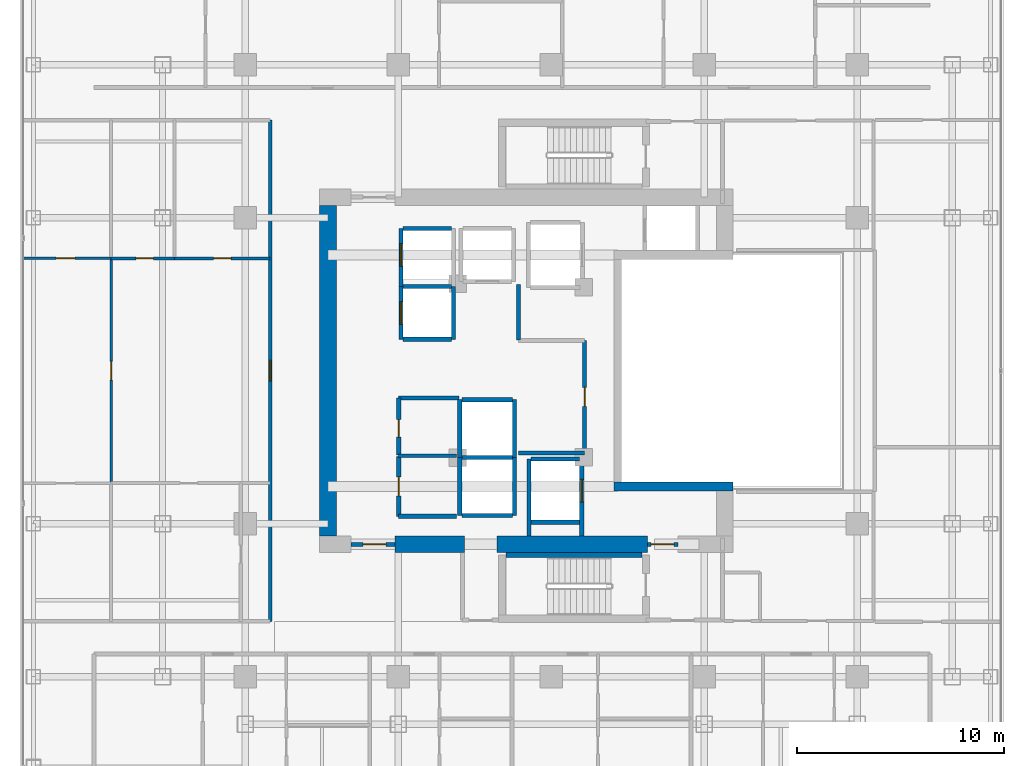
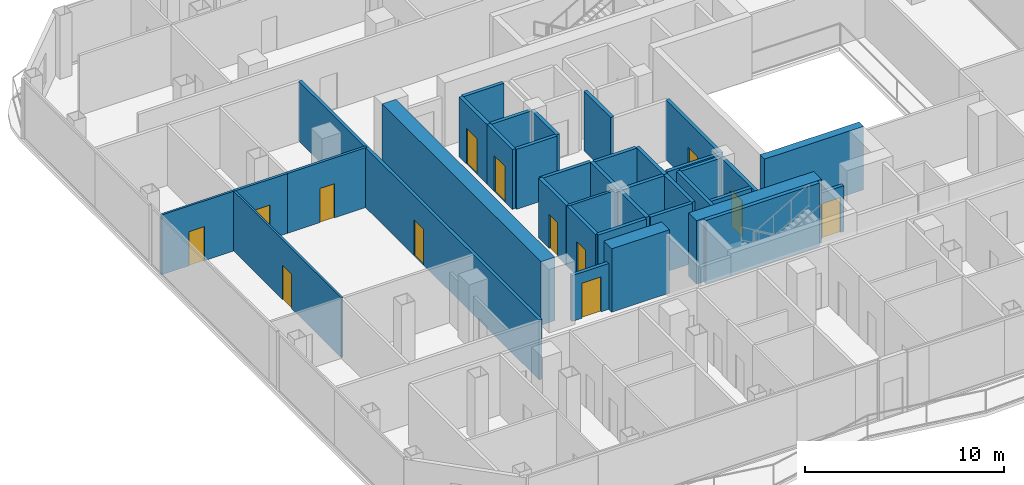
# One storey, part 19 of 25: 37 walls, 13 doors, 13 openings.
"""IFC4 building model written with IfcOpenShell, lengths in metres."""

from ifc_helpers import new_model, si_unit, direction, frame, frame_2d, origin, place, context, subcontext, project, spatial, rectangle, extrude, material, layer, layer_set, type_object, element, fill, save


model = new_model("IFC4")

# Units and contexts
model_context = context("Model", 3, precision=1e-05, world=origin(), true_north=direction((0.0, 1.0)))
body_context = subcontext(model_context, "Body", "Model", "MODEL_VIEW")
ifc_project = project(units=[si_unit("LENGTHUNIT", "METRE"), si_unit("AREAUNIT", "SQUARE_METRE"), si_unit("VOLUMEUNIT", "CUBIC_METRE"), si_unit("PLANEANGLEUNIT", "RADIAN"), si_unit("MASSUNIT", "GRAM", prefix="KILO")], contexts=[model_context])

# Site, building, storey
site_placement = place(None, origin())
site = spatial("IfcSite", under=ifc_project, at=site_placement, CompositionType="ELEMENT")
building_placement = place(site_placement, origin())
building = spatial("IfcBuilding", under=site, at=building_placement, Name="Khorvyn Point Tower", CompositionType="ELEMENT")
storey_placement = place(building_placement, frame((0.0, 0.0, 171.89990234375)))
storey = spatial("IfcBuildingStorey", under=building, at=storey_placement, Name="L42", CompositionType="ELEMENT", Elevation=171.89990234375)

# Wall, opening, door
ifc_material_1 = material(Name="Double acoustic gypsum on twin steel stud", Category="steel")
ifc_layer_1 = layer(ifc_material_1, 0.179931640625)
ifc_layer_set_1 = layer_set([ifc_layer_1], Name="Acoustic Double-Stud Apartment Demising Wall 180")
wall_type_1 = type_object("IfcWallType", Name="Acoustic Double-Stud Apartment Demising Wall 180", PredefinedType="PARTITIONING", material=ifc_layer_set_1)
wall_1_placement = place(storey_placement, frame((-13.60009765625, -12.1201171875, 0.0), z_axis=(0.0, 0.0, 1.0), x_axis=(0.0, 1.0, 0.0)))
wall_1 = element("IfcWall", 1, at=wall_1_placement, inside=storey, type_object=wall_type_1, Name="Wall", PredefinedType="PARTITIONING", context=body_context, shape_type="SweptSolid", body=[
    extrude(rectangle(XDim=24.240234375, YDim=0.179931640625, at=frame_2d((12.1201171875, 0.0))), origin(), (0.0, 0.0, 1.0), 3.68017578125),
])
opening_1_placement = place(wall_1_placement, frame((11.6201171875, 0.0, 0.0)))
opening_1 = element("IfcOpeningElement", 2, at=opening_1_placement, cuts=wall_1, Name="Opening ID-AP60", PredefinedType="OPENING", context=body_context, shape_type="SweptSolid", body=[
    extrude(rectangle(XDim=1.0, YDim=2.199951171875, at=frame_2d((0.5, 1.10009765625))), frame((0.0, 0.099853515625, 0.0), z_axis=(0.0, -1.0, 0.0), x_axis=(1.0, 0.0, 0.0)), (0.0, 0.0, 1.0), 0.199951171875),
])
ifc_material_2 = material(Name="Engineered hardwood fire-rated leaf", Category="wood")
door_type_1 = type_object("IfcDoorType", Name="Acoustic Solid-Core Timber Apartment Entrance Door 1000x2200", OperationType="NOTDEFINED", PredefinedType="DOOR", material=ifc_material_2)
door_1_placement = place(opening_1_placement, origin())
door_1 = element("IfcDoor", 3, at=door_1_placement, inside=storey, type_object=door_type_1, Name="Door", OperationType="SINGLE_SWING_LEFT", OverallHeight=2.199951171875, OverallWidth=1.0, PredefinedType="DOOR", context=body_context, shape_type="SweptSolid", body=[
    extrude(rectangle(XDim=1.0, YDim=2.199951171875, at=frame_2d((0.5, 1.10009765625))), frame((0.0, 0.02490234375, 0.0), z_axis=(0.0, -1.0, 0.0), x_axis=(1.0, 0.0, 0.0)), (0.0, 0.0, 1.0), 0.050048828125),
])
fill(opening_1, door_1)

# Wall
ifc_material_3 = material(Name="Concrete C40/50", Category="concrete")
ifc_layer_2 = layer(ifc_material_3, 0.449951171875)
ifc_layer_set_2 = layer_set([ifc_layer_2], Name="Concrete C40/50 Core Shear Wall 450")
wall_type_2 = type_object("IfcWallType", Name="Concrete C40/50 Core Shear Wall 450", PredefinedType="SHEAR", material=ifc_layer_set_2)
wall_2_placement = place(storey_placement, frame((3.044921875, -5.60009765625, 0.0), z_axis=(0.0, 0.0, 1.0), x_axis=(1.0, 0.0, 0.0)))
element("IfcWall", 4, at=wall_2_placement, inside=storey, type_object=wall_type_2, Name="Wall", PredefinedType="SHEAR", context=body_context, shape_type="SweptSolid", body=[
    extrude(rectangle(XDim=5.755126953125, YDim=0.449951171875, at=frame_2d((2.87744140625, 0.0))), origin(), (0.0, 0.0, 1.0), 3.900146484375),
])

# Wall, opening, door
ifc_layer_3 = layer(ifc_material_3, 0.199951171875)
ifc_layer_set_3 = layer_set([ifc_layer_3], Name="Concrete C40/50 Fire-Lobby Compartment Wall 200")
wall_type_3 = type_object("IfcWallType", Name="Concrete C40/50 Fire-Lobby Compartment Wall 200", PredefinedType="SOLIDWALL", material=ifc_layer_set_3)
wall_3_placement = place(storey_placement, frame((4.64990234375, -8.39990234375, 0.0), z_axis=(0.0, 0.0, 1.0), x_axis=(1.0, 0.0, 0.0)))
wall_3 = element("IfcWall", 5, at=wall_3_placement, inside=storey, type_object=wall_type_3, Name="Wall", PredefinedType="SOLIDWALL", context=body_context, shape_type="SweptSolid", body=[
    extrude(rectangle(XDim=1.47021484375, YDim=0.199951171875, at=frame_2d((0.735107421875, 0.0))), origin(), (0.0, 0.0, 1.0), 2.820068359375),
])
opening_2_placement = place(wall_3_placement, frame((0.18505859375, 0.0, 0.0)))
opening_2 = element("IfcOpeningElement", 6, at=opening_2_placement, cuts=wall_3, Name="Opening ID-FL90", PredefinedType="OPENING", context=body_context, shape_type="SweptSolid", body=[
    extrude(rectangle(XDim=1.10009765625, YDim=2.14990234375, at=frame_2d((0.550048828125, 1.074951171875))), frame((0.0, 0.10986328125, 0.0), z_axis=(0.0, -1.0, 0.0), x_axis=(1.0, 0.0, 0.0)), (0.0, 0.0, 1.0), 0.219970703125),
])
ifc_material_4 = material(Name="Galvanised powder-coated steel", Category="steel")
door_type_2 = type_object("IfcDoorType", Name="Fire-Rated Steel Lobby and Stair Door 1100x2150", OperationType="NOTDEFINED", PredefinedType="DOOR", material=ifc_material_4)
door_2_placement = place(opening_2_placement, origin())
door_2 = element("IfcDoor", 7, at=door_2_placement, inside=storey, type_object=door_type_2, Name="Door", OperationType="SINGLE_SWING_LEFT", OverallHeight=2.14990234375, OverallWidth=1.10009765625, PredefinedType="DOOR", context=body_context, shape_type="SweptSolid", body=[
    extrude(rectangle(XDim=1.10009765625, YDim=2.14990234375, at=frame_2d((0.550048828125, 1.074951171875))), frame((0.0, 0.02490234375, 0.0), z_axis=(0.0, -1.0, 0.0), x_axis=(1.0, 0.0, 0.0)), (0.0, 0.0, 1.0), 0.050048828125),
])
fill(opening_2, door_2)

wall_4_placement = place(storey_placement, frame((-9.699951171875, -8.39990234375, 0.0), z_axis=(0.0, 0.0, 1.0), x_axis=(1.0, 0.0, 0.0)))
wall_4 = element("IfcWall", 8, at=wall_4_placement, inside=storey, type_object=wall_type_3, Name="Wall", PredefinedType="SOLIDWALL", context=body_context, shape_type="SweptSolid", body=[
    extrude(rectangle(XDim=2.14990234375, YDim=0.199951171875, at=frame_2d((1.074951171875, 0.0))), origin(), (0.0, 0.0, 1.0), 2.820068359375),
])
opening_3_placement = place(wall_4_placement, frame((0.597900390625, 0.0, 0.0)))
opening_3 = element("IfcOpeningElement", 9, at=opening_3_placement, cuts=wall_4, Name="Opening ID-FL90", PredefinedType="OPENING", context=body_context, shape_type="SweptSolid", body=[
    extrude(rectangle(XDim=1.10009765625, YDim=2.14990234375, at=frame_2d((0.550048828125, 1.074951171875))), frame((0.0, 0.10986328125, 0.0), z_axis=(0.0, -1.0, 0.0), x_axis=(1.0, 0.0, 0.0)), (0.0, 0.0, 1.0), 0.219970703125),
])
door_3_placement = place(opening_3_placement, origin())
door_3 = element("IfcDoor", 10, at=door_3_placement, inside=storey, type_object=door_type_2, Name="Door", OperationType="SINGLE_SWING_LEFT", OverallHeight=2.14990234375, OverallWidth=1.10009765625, PredefinedType="DOOR", context=body_context, shape_type="SweptSolid", body=[
    extrude(rectangle(XDim=1.10009765625, YDim=2.14990234375, at=frame_2d((0.550048828125, 1.074951171875))), frame((0.0, 0.02490234375, 0.0), z_axis=(0.0, -1.0, 0.0), x_axis=(1.0, 0.0, 0.0)), (0.0, 0.0, 1.0), 0.050048828125),
])
fill(opening_3, door_3)

wall_5_placement = place(storey_placement, frame((1.610107421875, -3.97998046875, 0.0), z_axis=(0.0, 0.0, 1.0), x_axis=(0.0, 1.0, 0.0)))
wall_5 = element("IfcWall", 11, at=wall_5_placement, inside=storey, type_object=wall_type_3, Name="Wall", PredefinedType="SOLIDWALL", context=body_context, shape_type="SweptSolid", body=[
    extrude(rectangle(XDim=5.43994140625, YDim=0.199951171875, at=frame_2d((2.719970703125, 0.0))), origin(), (0.0, 0.0, 1.0), 3.68017578125),
])
opening_4_placement = place(wall_5_placement, frame((2.260009765625, 0.0, 0.0)))
opening_4 = element("IfcOpeningElement", 12, at=opening_4_placement, cuts=wall_5, Name="Opening ID-RS60", PredefinedType="OPENING", context=body_context, shape_type="SweptSolid", body=[
    extrude(rectangle(XDim=0.919921875, YDim=2.10009765625, at=frame_2d((0.4599609375, 1.050048828125))), frame((0.0, 0.10986328125, 0.0), z_axis=(0.0, -1.0, 0.0), x_axis=(1.0, 0.0, 0.0)), (0.0, 0.0, 1.0), 0.219970703125),
])
door_type_3 = type_object("IfcDoorType", Name="Fire-Rated Riser and Store Steel Door 920x2100", OperationType="NOTDEFINED", PredefinedType="DOOR", material=ifc_material_4)
door_4_placement = place(opening_4_placement, origin())
door_4 = element("IfcDoor", 13, at=door_4_placement, inside=storey, type_object=door_type_3, Name="Door", OperationType="SINGLE_SWING_RIGHT", OverallHeight=2.10009765625, OverallWidth=0.919921875, PredefinedType="DOOR", context=body_context, shape_type="SweptSolid", body=[
    extrude(rectangle(XDim=0.919921875, YDim=2.10009765625, at=frame_2d((0.4599609375, 1.050048828125))), frame((0.0, 0.02490234375, 0.0), z_axis=(0.0, -1.0, 0.0), x_axis=(1.0, 0.0, 0.0)), (0.0, 0.0, 1.0), 0.050048828125),
])
fill(opening_4, door_4)

wall_6_placement = place(storey_placement, frame((-7.3798828125, -7.0400390625, 0.0), z_axis=(0.0, 0.0, 1.0), x_axis=(0.0, 1.0, 0.0)))
wall_6 = element("IfcWall", 14, at=wall_6_placement, inside=storey, type_object=wall_type_3, Name="Wall", PredefinedType="SOLIDWALL", context=body_context, shape_type="SweptSolid", body=[
    extrude(rectangle(XDim=2.900146484375, YDim=0.199951171875, at=frame_2d((1.4501953125, 0.0))), origin(), (0.0, 0.0, 1.0), 3.68017578125),
])
opening_5_placement = place(wall_6_placement, frame((0.989990234375, 0.0, 0.0)))
opening_5 = element("IfcOpeningElement", 15, at=opening_5_placement, cuts=wall_6, Name="Opening ID-RS60", PredefinedType="OPENING", context=body_context, shape_type="SweptSolid", body=[
    extrude(rectangle(XDim=0.919921875, YDim=2.10009765625, at=frame_2d((0.4599609375, 1.050048828125))), frame((0.0, 0.10986328125, 0.0), z_axis=(0.0, -1.0, 0.0), x_axis=(1.0, 0.0, 0.0)), (0.0, 0.0, 1.0), 0.219970703125),
])
door_5_placement = place(opening_5_placement, origin())
door_5 = element("IfcDoor", 16, at=door_5_placement, inside=storey, type_object=door_type_3, Name="Door", OperationType="SINGLE_SWING_LEFT", OverallHeight=2.10009765625, OverallWidth=0.919921875, PredefinedType="DOOR", context=body_context, shape_type="SweptSolid", body=[
    extrude(rectangle(XDim=0.919921875, YDim=2.10009765625, at=frame_2d((0.4599609375, 1.050048828125))), frame((0.0, 0.02490234375, 0.0), z_axis=(0.0, -1.0, 0.0), x_axis=(1.0, 0.0, 0.0)), (0.0, 0.0, 1.0), 0.050048828125),
])
fill(opening_5, door_5)

wall_7_placement = place(storey_placement, frame((-7.3798828125, -4.080078125, 0.0), z_axis=(0.0, 0.0, 1.0), x_axis=(0.0, 1.0, 0.0)))
wall_7 = element("IfcWall", 17, at=wall_7_placement, inside=storey, type_object=wall_type_3, Name="Wall", PredefinedType="SOLIDWALL", context=body_context, shape_type="SweptSolid", body=[
    extrude(rectangle(XDim=2.760009765625, YDim=0.199951171875, at=frame_2d((1.3798828125, 0.0))), origin(), (0.0, 0.0, 1.0), 3.68017578125),
])
opening_6_placement = place(wall_7_placement, frame((0.86669921875, 0.0, 0.0)))
opening_6 = element("IfcOpeningElement", 18, at=opening_6_placement, cuts=wall_7, Name="Opening ID-WC85", PredefinedType="OPENING", context=body_context, shape_type="SweptSolid", body=[
    extrude(rectangle(XDim=0.85009765625, YDim=2.10009765625, at=frame_2d((0.425048828125, 1.050048828125))), frame((0.0, 0.10986328125, 0.0), z_axis=(0.0, -1.0, 0.0), x_axis=(1.0, 0.0, 0.0)), (0.0, 0.0, 1.0), 0.219970703125),
])
ifc_material_5 = material(Name="High-pressure laminate on moisture-resistant core", Category="wood")
door_type_4 = type_object("IfcDoorType", Name="Moisture-Resistant Accessible Washroom Door 850x2100", OperationType="NOTDEFINED", PredefinedType="DOOR", material=ifc_material_5)
door_6_placement = place(opening_6_placement, origin())
door_6 = element("IfcDoor", 19, at=door_6_placement, inside=storey, type_object=door_type_4, Name="Door", OperationType="SINGLE_SWING_RIGHT", OverallHeight=2.10009765625, OverallWidth=0.85009765625, PredefinedType="DOOR", context=body_context, shape_type="SweptSolid", body=[
    extrude(rectangle(XDim=0.85009765625, YDim=2.10009765625, at=frame_2d((0.425048828125, 1.050048828125))), frame((0.0, 0.02490234375, 0.0), z_axis=(0.0, -1.0, 0.0), x_axis=(1.0, 0.0, 0.0)), (0.0, 0.0, 1.0), 0.050048828125),
])
fill(opening_6, door_6)

# Walls
wall_8_placement = place(storey_placement, frame((-7.3798828125, -1.320068359375, 0.0), z_axis=(0.0, 0.0, 1.0), x_axis=(1.0, 0.0, 0.0)))
element("IfcWall", 20, at=wall_8_placement, inside=storey, type_object=wall_type_3, Name="Wall", PredefinedType="SOLIDWALL", context=body_context, shape_type="SweptSolid", body=[
    extrude(rectangle(XDim=2.909912109375, YDim=0.199951171875, at=frame_2d((1.455078125, 0.0))), origin(), (0.0, 0.0, 1.0), 3.68017578125),
])
wall_9_placement = place(storey_placement, frame((-1.580078125, 1.47998046875, 0.0), z_axis=(0.0, 0.0, 1.0), x_axis=(0.0, 1.0, 0.0)))
element("IfcWall", 21, at=wall_9_placement, inside=storey, type_object=wall_type_3, Name="Wall", PredefinedType="SOLIDWALL", context=body_context, shape_type="SweptSolid", body=[
    extrude(rectangle(XDim=2.699951171875, YDim=0.199951171875, at=frame_2d((1.35009765625, 0.0))), origin(), (0.0, 0.0, 1.0), 3.68017578125),
])
wall_10_placement = place(storey_placement, frame((-1.580078125, -3.97998046875, 0.0), z_axis=(0.0, 0.0, 1.0), x_axis=(1.0, 0.0, 0.0)))
element("IfcWall", 22, at=wall_10_placement, inside=storey, type_object=wall_type_3, Name="Wall", PredefinedType="SOLIDWALL", context=body_context, shape_type="SweptSolid", body=[
    extrude(rectangle(XDim=3.190185546875, YDim=0.199951171875, at=frame_2d((1.59521484375, 0.0))), origin(), (0.0, 0.0, 1.0), 3.68017578125),
])
wall_11_placement = place(storey_placement, frame((-7.3798828125, -7.0400390625, 0.0), z_axis=(0.0, 0.0, 1.0), x_axis=(1.0, 0.0, 0.0)))
element("IfcWall", 23, at=wall_11_placement, inside=storey, type_object=wall_type_3, Name="Wall", PredefinedType="SOLIDWALL", context=body_context, shape_type="SweptSolid", body=[
    extrude(rectangle(XDim=2.7998046875, YDim=0.199951171875, at=frame_2d((1.39990234375, 0.0))), origin(), (0.0, 0.0, 1.0), 3.68017578125),
])
ifc_layer_4 = layer(ifc_material_3, 0.25)
ifc_layer_set_4 = layer_set([ifc_layer_4], Name="Concrete C40/50 Stair Inner Cheek Structural Wall 250")
wall_type_4 = type_object("IfcWallType", Name="Concrete C40/50 Stair Inner Cheek Structural Wall 250", PredefinedType="SHEAR", material=ifc_layer_set_4)
wall_12_placement = place(storey_placement, frame((-2.199951171875, -8.91259765625, 0.0), z_axis=(0.0, 0.0, 1.0), x_axis=(1.0, 0.0, 0.0)))
element("IfcWall", 24, at=wall_12_placement, inside=storey, type_object=wall_type_4, Name="Wall", PredefinedType="SHEAR", context=body_context, shape_type="SweptSolid", body=[
    extrude(rectangle(XDim=6.599853515625, YDim=0.22509765625, at=frame_2d((3.2998046875, 0.0))), origin(), (0.0, 0.0, 1.0), 3.900146484375),
])

# Wall, opening, door
ifc_layer_5 = layer(ifc_material_3, 0.199951171875)
ifc_layer_set_5 = layer_set([ifc_layer_5], Name="Concrete C40/50 Structural Hoistway and Stair Shaft Wall 200")
wall_type_5 = type_object("IfcWallType", Name="Concrete C40/50 Structural Hoistway and Stair Shaft Wall 200", PredefinedType="SHEAR", material=ifc_layer_set_5)
wall_13_placement = place(storey_placement, frame((-7.27490234375, 1.52490234375, 0.0), z_axis=(0.0, 0.0, 1.0), x_axis=(0.0, 1.0, 0.0)))
wall_13 = element("IfcWall", 25, at=wall_13_placement, inside=storey, type_object=wall_type_5, Name="Wall", PredefinedType="SHEAR", context=body_context, shape_type="SweptSolid", body=[
    extrude(rectangle(XDim=2.550048828125, YDim=0.199951171875, at=frame_2d((1.27490234375, 0.0))), origin(), (0.0, 0.0, 1.0), 3.68017578125),
])
opening_7_placement = place(wall_13_placement, frame((0.72509765625, 0.0, 0.0)))
opening_7 = element("IfcOpeningElement", 26, at=opening_7_placement, cuts=wall_13, Name="Opening LD-1122", PredefinedType="OPENING", context=body_context, shape_type="SweptSolid", body=[
    extrude(rectangle(XDim=1.10009765625, YDim=2.199951171875, at=frame_2d((0.550048828125, 1.10009765625))), frame((0.0, 0.10986328125, 0.0), z_axis=(0.0, -1.0, 0.0), x_axis=(1.0, 0.0, 0.0)), (0.0, 0.0, 1.0), 0.219970703125),
])
ifc_material_6 = material(Name="Stainless steel 1.4301", Category="steel")
door_type_5 = type_object("IfcDoorType", Name="Stainless Steel Automatic Sliding Lift Landing Door 1100x2200", OperationType="SLIDING_TO_LEFT", PredefinedType="DOOR", material=ifc_material_6)
door_7_placement = place(opening_7_placement, origin())
door_7 = element("IfcDoor", 27, at=door_7_placement, inside=storey, type_object=door_type_5, Name="L42 RM-01 Sliding Lift Landing Door", OperationType="SLIDING_TO_LEFT", OverallHeight=2.199951171875, OverallWidth=1.10009765625, PredefinedType="DOOR", context=body_context, shape_type="SweptSolid", body=[
    extrude(rectangle(XDim=1.10009765625, YDim=2.199951171875, at=frame_2d((0.550048828125, 1.10009765625))), frame((0.0, 0.02490234375, 0.0), z_axis=(0.0, -1.0, 0.0), x_axis=(1.0, 0.0, 0.0)), (0.0, 0.0, 1.0), 0.050048828125),
])
fill(opening_7, door_7)

# Walls
wall_14_placement = place(storey_placement, frame((-4.72509765625, 1.52490234375, 0.0), z_axis=(0.0, 0.0, 1.0), x_axis=(0.0, 1.0, 0.0)))
element("IfcWall", 28, at=wall_14_placement, inside=storey, type_object=wall_type_5, Name="Wall", PredefinedType="SHEAR", context=body_context, shape_type="SweptSolid", body=[
    extrude(rectangle(XDim=2.550048828125, YDim=0.199951171875, at=frame_2d((1.27490234375, 0.0))), origin(), (0.0, 0.0, 1.0), 3.68017578125),
])
for number, where, z_axis, x_axis, name in (
    (29, (-7.175048828125, 1.52490234375, 0.0), (0.0, 0.0, 1.0), (1.0, 0.0, 0.0), "Wall"),
    (30, (-7.175048828125, 4.074951171875, 0.0), (0.0, 0.0, 1.0), (1.0, 0.0, 0.0), "Wall"),
):
    element("IfcWall", number, at=place(storey_placement, frame(where, z_axis=z_axis, x_axis=x_axis)), inside=storey, type_object=wall_type_5, Name=name, PredefinedType="SHEAR", context=body_context, shape_type="SweptSolid", body=[
        extrude(rectangle(XDim=2.35009765625, YDim=0.199951171875, at=frame_2d((1.175048828125, 0.0))), origin(), (0.0, 0.0, 1.0), 3.68017578125),
    ])

# Wall, opening, door
wall_15_placement = place(storey_placement, frame((-7.27490234375, 4.074951171875, 0.0), z_axis=(0.0, 0.0, 1.0), x_axis=(0.0, 1.0, 0.0)))
wall_15 = element("IfcWall", 31, at=wall_15_placement, inside=storey, type_object=wall_type_5, Name="Wall", PredefinedType="SHEAR", context=body_context, shape_type="SweptSolid", body=[
    extrude(rectangle(XDim=2.800048828125, YDim=0.199951171875, at=frame_2d((1.39990234375, 0.0))), origin(), (0.0, 0.0, 1.0), 3.68017578125),
])
opening_8_placement = place(wall_15_placement, frame((0.97509765625, 0.0, 0.0)))
opening_8 = element("IfcOpeningElement", 32, at=opening_8_placement, cuts=wall_15, Name="Opening LD-1122", PredefinedType="OPENING", context=body_context, shape_type="SweptSolid", body=[
    extrude(rectangle(XDim=1.10009765625, YDim=2.199951171875, at=frame_2d((0.550048828125, 1.10009765625))), frame((0.0, 0.10986328125, 0.0), z_axis=(0.0, -1.0, 0.0), x_axis=(1.0, 0.0, 0.0)), (0.0, 0.0, 1.0), 0.219970703125),
])
door_8_placement = place(opening_8_placement, origin())
door_8 = element("IfcDoor", 33, at=door_8_placement, inside=storey, type_object=door_type_5, Name="L42 RM-02 Sliding Lift Landing Door", OperationType="SLIDING_TO_LEFT", OverallHeight=2.199951171875, OverallWidth=1.10009765625, PredefinedType="DOOR", context=body_context, shape_type="SweptSolid", body=[
    extrude(rectangle(XDim=1.10009765625, YDim=2.199951171875, at=frame_2d((0.550048828125, 1.10009765625))), frame((0.0, 0.02490234375, 0.0), z_axis=(0.0, -1.0, 0.0), x_axis=(1.0, 0.0, 0.0)), (0.0, 0.0, 1.0), 0.050048828125),
])
fill(opening_8, door_8)

# Walls
wall_16_placement = place(storey_placement, frame((-7.175048828125, 6.875, 0.0), z_axis=(0.0, 0.0, 1.0), x_axis=(1.0, 0.0, 0.0)))
element("IfcWall", 34, at=wall_16_placement, inside=storey, type_object=wall_type_5, Name="Wall", PredefinedType="SHEAR", context=body_context, shape_type="SweptSolid", body=[
    extrude(rectangle(XDim=2.35009765625, YDim=0.199951171875, at=frame_2d((1.175048828125, 0.0))), origin(), (0.0, 0.0, 1.0), 3.68017578125),
])
for number, where, z_axis, x_axis, name in (
    (35, (-4.425048828125, -7.0, 0.0), (0.0, 0.0, 1.0), (0.0, 1.0, 0.0), "Wall"),
    (36, (-1.77490234375, -7.0, 0.0), (0.0, 0.0, 1.0), (0.0, 1.0, 0.0), "Wall"),
):
    element("IfcWall", number, at=place(storey_placement, frame(where, z_axis=z_axis, x_axis=x_axis)), inside=storey, type_object=wall_type_5, Name=name, PredefinedType="SHEAR", context=body_context, shape_type="SweptSolid", body=[
        extrude(rectangle(XDim=2.800048828125, YDim=0.199951171875, at=frame_2d((1.39990234375, 0.0))), origin(), (0.0, 0.0, 1.0), 3.68017578125),
    ])
for number, where, z_axis, x_axis, name in (
    (37, (-4.324951171875, -7.0, 0.0), (0.0, 0.0, 1.0), (1.0, 0.0, 0.0), "Wall"),
    (38, (-4.324951171875, -4.199951171875, 0.0), (0.0, 0.0, 1.0), (1.0, 0.0, 0.0), "Wall"),
):
    element("IfcWall", number, at=place(storey_placement, frame(where, z_axis=z_axis, x_axis=x_axis)), inside=storey, type_object=wall_type_5, Name=name, PredefinedType="SHEAR", context=body_context, shape_type="SweptSolid", body=[
        extrude(rectangle(XDim=2.449951171875, YDim=0.199951171875, at=frame_2d((1.22509765625, 0.0))), origin(), (0.0, 0.0, 1.0), 3.68017578125),
    ])
for number, where, z_axis, x_axis, name in (
    (39, (-4.425048828125, -4.199951171875, 0.0), (0.0, 0.0, 1.0), (0.0, 1.0, 0.0), "Wall"),
    (40, (-1.77490234375, -4.199951171875, 0.0), (0.0, 0.0, 1.0), (0.0, 1.0, 0.0), "Wall"),
):
    element("IfcWall", number, at=place(storey_placement, frame(where, z_axis=z_axis, x_axis=x_axis)), inside=storey, type_object=wall_type_5, Name=name, PredefinedType="SHEAR", context=body_context, shape_type="SweptSolid", body=[
        extrude(rectangle(XDim=2.800048828125, YDim=0.199951171875, at=frame_2d((1.39990234375, 0.0))), origin(), (0.0, 0.0, 1.0), 3.68017578125),
    ])
wall_17_placement = place(storey_placement, frame((-4.324951171875, -1.39990234375, 0.0), z_axis=(0.0, 0.0, 1.0), x_axis=(1.0, 0.0, 0.0)))
element("IfcWall", 41, at=wall_17_placement, inside=storey, type_object=wall_type_5, Name="Wall", PredefinedType="SHEAR", context=body_context, shape_type="SweptSolid", body=[
    extrude(rectangle(XDim=2.449951171875, YDim=0.199951171875, at=frame_2d((1.22509765625, 0.0))), origin(), (0.0, 0.0, 1.0), 3.68017578125),
])
wall_18_placement = place(storey_placement, frame((-1.074951171875, -8.0, 0.0), z_axis=(0.0, 0.0, 1.0), x_axis=(0.0, 1.0, 0.0)))
element("IfcWall", 42, at=wall_18_placement, inside=storey, type_object=wall_type_5, Name="Wall", PredefinedType="SHEAR", context=body_context, shape_type="SweptSolid", body=[
    extrude(rectangle(XDim=3.72509765625, YDim=0.199951171875, at=frame_2d((1.862548828125, 0.0))), origin(), (0.0, 0.0, 1.0), 3.68017578125),
])

# Wall, opening, door
wall_19_placement = place(storey_placement, frame((1.47509765625, -8.0, 0.0), z_axis=(0.0, 0.0, 1.0), x_axis=(0.0, 1.0, 0.0)))
wall_19 = element("IfcWall", 43, at=wall_19_placement, inside=storey, type_object=wall_type_5, Name="Wall", PredefinedType="SHEAR", context=body_context, shape_type="SweptSolid", body=[
    extrude(rectangle(XDim=3.72509765625, YDim=0.199951171875, at=frame_2d((1.862548828125, 0.0))), origin(), (0.0, 0.0, 1.0), 3.68017578125),
])
opening_9_placement = place(wall_19_placement, frame((1.64990234375, 0.0, 0.0)))
opening_9 = element("IfcOpeningElement", 44, at=opening_9_placement, cuts=wall_19, Name="Opening LD-1122", PredefinedType="OPENING", context=body_context, shape_type="SweptSolid", body=[
    extrude(rectangle(XDim=1.10009765625, YDim=2.199951171875, at=frame_2d((0.550048828125, 1.10009765625))), frame((0.0, 0.10986328125, 0.0), z_axis=(0.0, -1.0, 0.0), x_axis=(1.0, 0.0, 0.0)), (0.0, 0.0, 1.0), 0.219970703125),
])
door_9_placement = place(opening_9_placement, origin())
door_9 = element("IfcDoor", 45, at=door_9_placement, inside=storey, type_object=door_type_5, Name="L42 FF-01 Sliding Lift Landing Door", OperationType="SLIDING_TO_LEFT", OverallHeight=2.199951171875, OverallWidth=1.10009765625, PredefinedType="DOOR", context=body_context, shape_type="SweptSolid", body=[
    extrude(rectangle(XDim=1.10009765625, YDim=2.199951171875, at=frame_2d((0.550048828125, 1.10009765625))), frame((0.0, 0.02490234375, 0.0), z_axis=(0.0, -1.0, 0.0), x_axis=(1.0, 0.0, 0.0)), (0.0, 0.0, 1.0), 0.050048828125),
])
fill(opening_9, door_9)

# Walls
for number, where, z_axis, x_axis, name in (
    (46, (-0.97509765625, -7.324951171875, 0.0), (0.0, 0.0, 1.0), (1.0, 0.0, 0.0), "Wall"),
    (47, (-0.97509765625, -4.27490234375, 0.0), (0.0, 0.0, 1.0), (1.0, 0.0, 0.0), "Wall"),
):
    element("IfcWall", number, at=place(storey_placement, frame(where, z_axis=z_axis, x_axis=x_axis)), inside=storey, type_object=wall_type_5, Name=name, PredefinedType="SHEAR", context=body_context, shape_type="SweptSolid", body=[
        extrude(rectangle(XDim=2.35009765625, YDim=0.199951171875, at=frame_2d((1.175048828125, 0.0))), origin(), (0.0, 0.0, 1.0), 3.68017578125),
    ])
ifc_material_7 = material(Name="Concrete C45/55", Category="concrete")
ifc_layer_6 = layer(ifc_material_7, 0.800048828125)
ifc_layer_set_6 = layer_set([ifc_layer_6], Name="Concrete C45/55 Core Shear Wall 800")
wall_type_6 = type_object("IfcWallType", Name="Concrete C45/55 Core Shear Wall 800", PredefinedType="SHEAR", material=ifc_layer_set_6)
wall_20_placement = place(storey_placement, frame((-7.550048828125, -8.39990234375, 0.0), z_axis=(0.0, 0.0, 1.0), x_axis=(1.0, 0.0, 0.0)))
element("IfcWall", 48, at=wall_20_placement, inside=storey, type_object=wall_type_6, Name="Wall", PredefinedType="SHEAR", context=body_context, shape_type="SweptSolid", body=[
    extrude(rectangle(XDim=3.35009765625, YDim=0.800048828125, at=frame_2d((1.675048828125, 0.0))), origin(), (0.0, 0.0, 1.0), 3.900146484375),
])
wall_21_placement = place(storey_placement, frame((-2.6201171875, -8.39990234375, 0.0), z_axis=(0.0, 0.0, 1.0), x_axis=(1.0, 0.0, 0.0)))
element("IfcWall", 49, at=wall_21_placement, inside=storey, type_object=wall_type_6, Name="Wall", PredefinedType="SHEAR", context=body_context, shape_type="SweptSolid", body=[
    extrude(rectangle(XDim=7.27001953125, YDim=0.800048828125, at=frame_2d((3.635009765625, 0.0))), origin(), (0.0, 0.0, 1.0), 3.900146484375),
])
wall_22_placement = place(storey_placement, frame((-10.800048828125, -8.0, 0.0), z_axis=(0.0, 0.0, 1.0), x_axis=(0.0, 1.0, 0.0)))
element("IfcWall", 50, at=wall_22_placement, inside=storey, type_object=wall_type_6, Name="Wall", PredefinedType="SHEAR", context=body_context, shape_type="SweptSolid", body=[
    extrude(rectangle(XDim=16.0, YDim=0.800048828125, at=frame_2d((8.0, 0.0))), origin(), (0.0, 0.0, 1.0), 3.900146484375),
])

# Wall, opening, door
ifc_material_8 = material(Name="Gypsum plasterboard on steel stud", Category="steel")
ifc_layer_7 = layer(ifc_material_8, 0.1201171875)
ifc_layer_set_7 = layer_set([ifc_layer_7], Name="Gypsum Acoustic Stud Room Partition Wall 120")
wall_type_7 = type_object("IfcWallType", Name="Gypsum Acoustic Stud Room Partition Wall 120", PredefinedType="PARTITIONING", material=ifc_layer_set_7)
wall_23_placement = place(storey_placement, frame((-21.2900390625, -5.43603515625, 0.0), z_axis=(0.0, 0.0, 1.0), x_axis=(0.0, 1.0, 0.0)))
wall_23 = element("IfcWall", 51, at=wall_23_placement, inside=storey, type_object=wall_type_7, Name="Wall", PredefinedType="PARTITIONING", context=body_context, shape_type="SweptSolid", body=[
    extrude(rectangle(XDim=10.8720703125, YDim=0.1201171875, at=frame_2d((5.43603515625, 0.0))), origin(), (0.0, 0.0, 1.0), 3.68017578125),
])
opening_10_placement = place(wall_23_placement, frame((4.986083984375, 0.0, 0.0)))
opening_10 = element("IfcOpeningElement", 52, at=opening_10_placement, cuts=wall_23, Name="Opening ID-RM90", PredefinedType="OPENING", context=body_context, shape_type="SweptSolid", body=[
    extrude(rectangle(XDim=0.89990234375, YDim=2.10009765625, at=frame_2d((0.449951171875, 1.050048828125))), frame((0.0, 0.070068359375, 0.0), z_axis=(0.0, -1.0, 0.0), x_axis=(1.0, 0.0, 0.0)), (0.0, 0.0, 1.0), 0.14013671875),
])
ifc_material_9 = material(Name="Engineered oak veneer timber", Category="wood")
door_type_6 = type_object("IfcDoorType", Name="Flush Engineered Timber Room Door 900x2100", OperationType="NOTDEFINED", PredefinedType="DOOR", material=ifc_material_9)
door_10_placement = place(opening_10_placement, origin())
door_10 = element("IfcDoor", 53, at=door_10_placement, inside=storey, type_object=door_type_6, Name="Door", OperationType="SINGLE_SWING_RIGHT", OverallHeight=2.10009765625, OverallWidth=0.89990234375, PredefinedType="DOOR", context=body_context, shape_type="SweptSolid", body=[
    extrude(rectangle(XDim=0.89990234375, YDim=2.10009765625, at=frame_2d((0.449951171875, 1.050048828125))), frame((0.0, 0.02490234375, 0.0), z_axis=(0.0, -1.0, 0.0), x_axis=(1.0, 0.0, 0.0)), (0.0, 0.0, 1.0), 0.050048828125),
])
fill(opening_10, door_10)

wall_24_placement = place(storey_placement, frame((-25.530029296875, 5.43603515625, 0.0), z_axis=(0.0, 0.0, 1.0), x_axis=(1.0, 0.0, 0.0)))
wall_24 = element("IfcWall", 54, at=wall_24_placement, inside=storey, type_object=wall_type_7, Name="Wall", PredefinedType="PARTITIONING", context=body_context, shape_type="SweptSolid", body=[
    extrude(rectangle(XDim=4.239990234375, YDim=0.1201171875, at=frame_2d((2.1201171875, 0.0))), origin(), (0.0, 0.0, 1.0), 3.68017578125),
])
opening_11_placement = place(wall_24_placement, frame((1.581298828125, 0.0, 0.0)))
opening_11 = element("IfcOpeningElement", 55, at=opening_11_placement, cuts=wall_24, Name="Opening ID-RM90", PredefinedType="OPENING", context=body_context, shape_type="SweptSolid", body=[
    extrude(rectangle(XDim=0.89990234375, YDim=2.10009765625, at=frame_2d((0.449951171875, 1.050048828125))), frame((0.0, 0.070068359375, 0.0), z_axis=(0.0, -1.0, 0.0), x_axis=(1.0, 0.0, 0.0)), (0.0, 0.0, 1.0), 0.14013671875),
])
door_11_placement = place(opening_11_placement, origin())
door_11 = element("IfcDoor", 56, at=door_11_placement, inside=storey, type_object=door_type_6, Name="Door", OperationType="SINGLE_SWING_RIGHT", OverallHeight=2.10009765625, OverallWidth=0.89990234375, PredefinedType="DOOR", context=body_context, shape_type="SweptSolid", body=[
    extrude(rectangle(XDim=0.89990234375, YDim=2.10009765625, at=frame_2d((0.449951171875, 1.050048828125))), frame((0.0, 0.02490234375, 0.0), z_axis=(0.0, -1.0, 0.0), x_axis=(1.0, 0.0, 0.0)), (0.0, 0.0, 1.0), 0.050048828125),
])
fill(opening_11, door_11)

ifc_material_10 = material(Name="Moisture-resistant gypsum and cement board", Category="gypsum")
ifc_layer_8 = layer(ifc_material_10, 0.14990234375)
ifc_layer_set_8 = layer_set([ifc_layer_8], Name="Moisture-Resistant Wet-Room Partition Wall 150")
wall_type_8 = type_object("IfcWallType", Name="Moisture-Resistant Wet-Room Partition Wall 150", PredefinedType="PARTITIONING", material=ifc_layer_set_8)
wall_25_placement = place(storey_placement, frame((-21.2900390625, 5.43603515625, 0.0), z_axis=(0.0, 0.0, 1.0), x_axis=(1.0, 0.0, 0.0)))
wall_25 = element("IfcWall", 57, at=wall_25_placement, inside=storey, type_object=wall_type_8, Name="Wall", PredefinedType="PARTITIONING", context=body_context, shape_type="SweptSolid", body=[
    extrude(rectangle(XDim=3.067138671875, YDim=0.14990234375, at=frame_2d((1.53369140625, 0.0))), origin(), (0.0, 0.0, 1.0), 3.68017578125),
])
opening_12_placement = place(wall_25_placement, frame((1.194580078125, 0.0, 0.0)))
opening_12 = element("IfcOpeningElement", 58, at=opening_12_placement, cuts=wall_25, Name="Opening ID-WC85", PredefinedType="OPENING", context=body_context, shape_type="SweptSolid", body=[
    extrude(rectangle(XDim=0.85009765625, YDim=2.10009765625, at=frame_2d((0.425048828125, 1.050048828125))), frame((0.0, 0.0849609375, 0.0), z_axis=(0.0, -1.0, 0.0), x_axis=(1.0, 0.0, 0.0)), (0.0, 0.0, 1.0), 0.169921875),
])
door_12_placement = place(opening_12_placement, origin())
door_12 = element("IfcDoor", 59, at=door_12_placement, inside=storey, type_object=door_type_4, Name="Door", OperationType="SINGLE_SWING_RIGHT", OverallHeight=2.10009765625, OverallWidth=0.85009765625, PredefinedType="DOOR", context=body_context, shape_type="SweptSolid", body=[
    extrude(rectangle(XDim=0.85009765625, YDim=2.10009765625, at=frame_2d((0.425048828125, 1.050048828125))), frame((0.0, 0.02490234375, 0.0), z_axis=(0.0, -1.0, 0.0), x_axis=(1.0, 0.0, 0.0)), (0.0, 0.0, 1.0), 0.050048828125),
])
fill(opening_12, door_12)

wall_26_placement = place(storey_placement, frame((-18.222900390625, 5.43603515625, 0.0), z_axis=(0.0, 0.0, 1.0), x_axis=(1.0, 0.0, 0.0)))
wall_26 = element("IfcWall", 60, at=wall_26_placement, inside=storey, type_object=wall_type_8, Name="Wall", PredefinedType="PARTITIONING", context=body_context, shape_type="SweptSolid", body=[
    extrude(rectangle(XDim=4.622802734375, YDim=0.14990234375, at=frame_2d((2.3115234375, 0.0))), origin(), (0.0, 0.0, 1.0), 3.68017578125),
])
opening_13_placement = place(wall_26_placement, frame((1.886474609375, 0.0, 0.0)))
opening_13 = element("IfcOpeningElement", 61, at=opening_13_placement, cuts=wall_26, Name="Opening ID-WC85", PredefinedType="OPENING", context=body_context, shape_type="SweptSolid", body=[
    extrude(rectangle(XDim=0.85009765625, YDim=2.10009765625, at=frame_2d((0.425048828125, 1.050048828125))), frame((0.0, 0.0849609375, 0.0), z_axis=(0.0, -1.0, 0.0), x_axis=(1.0, 0.0, 0.0)), (0.0, 0.0, 1.0), 0.169921875),
])
door_13_placement = place(opening_13_placement, origin())
door_13 = element("IfcDoor", 62, at=door_13_placement, inside=storey, type_object=door_type_4, Name="Door", OperationType="SINGLE_SWING_LEFT", OverallHeight=2.10009765625, OverallWidth=0.85009765625, PredefinedType="DOOR", context=body_context, shape_type="SweptSolid", body=[
    extrude(rectangle(XDim=0.85009765625, YDim=2.10009765625, at=frame_2d((0.425048828125, 1.050048828125))), frame((0.0, 0.02490234375, 0.0), z_axis=(0.0, -1.0, 0.0), x_axis=(1.0, 0.0, 0.0)), (0.0, 0.0, 1.0), 0.050048828125),
])
fill(opening_13, door_13)

# Wall
wall_27_placement = place(storey_placement, frame((-7.3798828125, -4.110107421875, 0.0), z_axis=(0.0, 0.0, 1.0), x_axis=(1.0, 0.0, 0.0)))
element("IfcWall", 63, at=wall_27_placement, inside=storey, type_object=wall_type_8, Name="Wall", PredefinedType="PARTITIONING", context=body_context, shape_type="SweptSolid", body=[
    extrude(rectangle(XDim=2.7998046875, YDim=0.14990234375, at=frame_2d((1.39990234375, 0.0))), origin(), (0.0, 0.0, 1.0), 3.68017578125),
])

save(model, "model.ifc")
